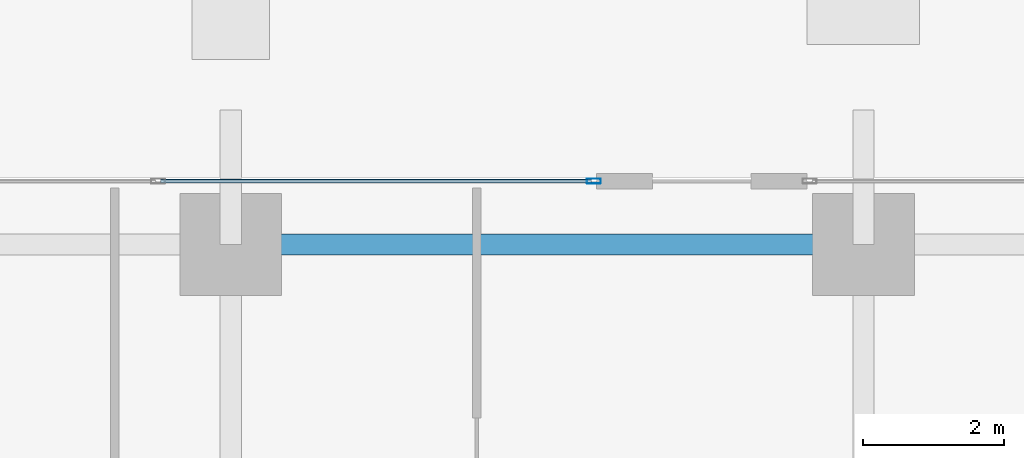
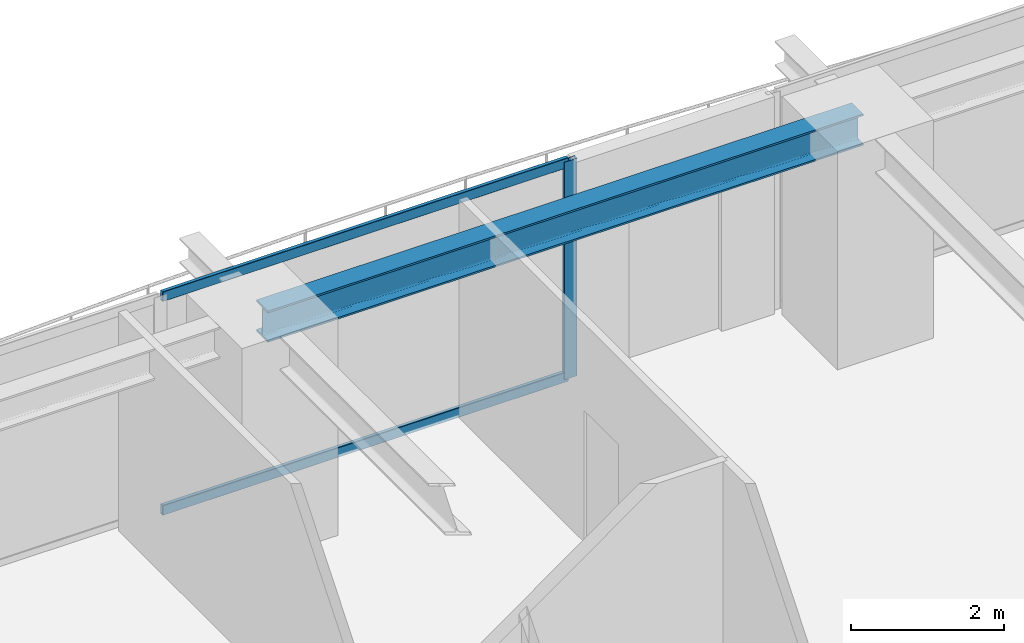
# One storey, part 18 of 35: 3 members, 1 beam, 1 element without a shape of its own.
"""IFC4 building model written with IfcOpenShell, lengths in metres."""

import ifcopenshell
import ifcopenshell.guid

model = None  # the IFC model being written
_history = None  # IfcOwnerHistory: only IFC2X3 demands one
_inside = {}  # id of a spatial element -> (the spatial element, [elements in it])
_under = {}  # id of a project, library or spatial element -> (it, [spatial elements below it])
_declared = {}  # id of a project -> (the project, [libraries it declares])
_typed = {}  # id of a type object -> (the type object, [elements of that type])
_made_of = {}  # id of a material, layer set ... -> (it, [elements and type objects made of it])


def new_model(schema):
    """Start an empty IFC model of exactly this schema.

    Asked for "IFC4X3", IfcOpenShell would pick the latest addendum, in which some entities
    have other attributes; the version numbers below select the first issue.
    IFC2X3 requires an IfcOwnerHistory on every rooted entity: one is made here for all.
    """
    global model, _history
    if schema == "IFC4X3":
        model = ifcopenshell.file(schema_version=(4, 3, 0, 0))
    else:
        model = ifcopenshell.file(schema=schema)
    _inside.clear()
    _under.clear()
    _declared.clear()
    _typed.clear()
    _made_of.clear()
    _history = None
    if model.schema == "IFC2X3":
        org = make("IfcOrganization", Name="unknown")
        user = make(
            "IfcPersonAndOrganization",
            ThePerson=make("IfcPerson", FamilyName="unknown"),
            TheOrganization=org,
        )
        app = make(
            "IfcApplication",
            ApplicationDeveloper=org,
            Version="unknown",
            ApplicationFullName="unknown",
            ApplicationIdentifier="unknown",
        )
        _history = make(
            "IfcOwnerHistory",
            OwningUser=user,
            OwningApplication=app,
            ChangeAction="ADDED",
            CreationDate=0,
        )
    return model


def make(cls, **values):
    """One entity of the class cls with the attributes given. An attribute that is None is left unset."""
    return model.create_entity(
        cls, **{name: value for name, value in values.items() if value is not None}
    )


def rooted(cls, **values):
    """An entity with a GlobalId (a new one), such as an element, a storey or a relation."""
    return make(cls, GlobalId=ifcopenshell.guid.new(), OwnerHistory=_history, **values)


def si_unit(unit_type, name, prefix=None):
    """IfcSIUnit, for example si_unit("LENGTHUNIT", "METRE", prefix="MILLI")."""
    return make("IfcSIUnit", UnitType=unit_type, Prefix=prefix, Name=name)


def assignment(units):
    """IfcUnitAssignment: the units of a project."""
    return None if units is None else make("IfcUnitAssignment", Units=units)


def point(xyz):
    """IfcCartesianPoint."""
    return None if xyz is None else make("IfcCartesianPoint", Coordinates=xyz)


def direction(xyz):
    """IfcDirection."""
    return None if xyz is None else make("IfcDirection", DirectionRatios=xyz)


def frame(location, z_axis=None, x_axis=None):
    """IfcAxis2Placement3D, a coordinate frame: its origin and axes. An axis left out is left unset."""
    return make(
        "IfcAxis2Placement3D",
        Location=point(location),
        Axis=direction(z_axis),
        RefDirection=direction(x_axis),
    )


def frame_2d(location, x_axis=None):
    """IfcAxis2Placement2D, a coordinate frame in the plane: its origin and x axis."""
    return make(
        "IfcAxis2Placement2D", Location=point(location), RefDirection=direction(x_axis)
    )


def origin():
    """The frame at (0, 0, 0) with its axes left unset."""
    return frame((0.0, 0.0, 0.0))


def origin_2d():
    """The frame at (0, 0) in the plane with its x axis left unset."""
    return frame_2d((0.0, 0.0))


def place(relative_to, where):
    """IfcLocalPlacement: puts the frame where relative to a parent placement (None: the world)."""
    return make(
        "IfcLocalPlacement", PlacementRelTo=relative_to, RelativePlacement=where
    )


def context(
    kind, dimensions, precision=None, world=None, true_north=None, identifier=None
):
    """IfcGeometricRepresentationContext, for example the 3D "Model" context."""
    return make(
        "IfcGeometricRepresentationContext",
        ContextIdentifier=identifier,
        ContextType=kind,
        CoordinateSpaceDimension=dimensions,
        Precision=precision,
        WorldCoordinateSystem=world,
        TrueNorth=true_north,
    )


def subcontext(parent, identifier, kind, view, scale=None):
    """IfcGeometricRepresentationSubContext, for example "Body" below "Model"."""
    return make(
        "IfcGeometricRepresentationSubContext",
        ContextIdentifier=identifier,
        ContextType=kind,
        ParentContext=parent,
        TargetScale=scale,
        TargetView=view,
    )


def project(units=None, contexts=None):
    """IfcProject with its units and contexts."""
    return rooted(
        "IfcProject",
        Name="project",
        RepresentationContexts=contexts,
        UnitsInContext=assignment(units),
    )


def spatial(cls, under=None, at=None, **own):
    """A site, building, storey or space (cls), placed at a placement, below another one or the project."""
    s = rooted(cls, ObjectPlacement=at, **own)
    if under is not None:
        _under.setdefault(under.id(), (under, []))[1].append(s)
    return s


def profile(cls, at=None, kind="AREA", **sizes):
    """A parametric profile (cls). Its sizes go by their IFC names, for example OverallWidth=200.0."""
    return make(cls, ProfileType=kind, Position=at, **sizes)


def hollow_rectangle(**sizes):
    """IfcRectangleHollowProfileDef."""
    return profile("IfcRectangleHollowProfileDef", **sizes)


def i_section(**sizes):
    """IfcIShapeProfileDef."""
    return profile("IfcIShapeProfileDef", **sizes)


def extrude(swept, where, along, depth):
    """IfcExtrudedAreaSolid: the profile swept, set in the frame where, extruded along a direction by depth."""
    return make(
        "IfcExtrudedAreaSolid",
        SweptArea=swept,
        Position=where,
        ExtrudedDirection=direction(along),
        Depth=depth,
    )


def shape(context_of_items, identifier, shape_type, items):
    """IfcShapeRepresentation: the items that make up one representation, for example the "Body"."""
    return make(
        "IfcShapeRepresentation",
        ContextOfItems=context_of_items,
        RepresentationIdentifier=identifier,
        RepresentationType=shape_type,
        Items=items,
    )


def source(mapping_origin, context_of_items, identifier, shape_type, items):
    """IfcRepresentationMap: a shape defined once, which mapped items show again and again."""
    return make(
        "IfcRepresentationMap",
        MappingOrigin=mapping_origin,
        MappedRepresentation=shape(context_of_items, identifier, shape_type, items),
    )


def transform(
    local_origin,
    x_axis=None,
    y_axis=None,
    z_axis=None,
    scale=None,
    scale2=None,
    scale3=None,
    uniform=True,
):
    """IfcCartesianTransformationOperator3D, or its non-uniform kind. x_axis, y_axis, z_axis: its Axis1, 2, 3."""
    if uniform:
        return make(
            "IfcCartesianTransformationOperator3D",
            Axis1=direction(x_axis),
            Axis2=direction(y_axis),
            LocalOrigin=point(local_origin),
            Scale=scale,
            Axis3=direction(z_axis),
        )
    return make(
        "IfcCartesianTransformationOperator3DnonUniform",
        Axis1=direction(x_axis),
        Axis2=direction(y_axis),
        LocalOrigin=point(local_origin),
        Scale=scale,
        Axis3=direction(z_axis),
        Scale2=scale2,
        Scale3=scale3,
    )


def mapped(mapping_source, mapping_target):
    """IfcMappedItem: shows the shape of a source again, moved by a transform."""
    return make(
        "IfcMappedItem", MappingSource=mapping_source, MappingTarget=mapping_target
    )


def material(Name=None, Category=None):
    """IfcMaterial."""
    return make("IfcMaterial", Name=Name, Category=Category)


def layer(
    of_material, thickness, ventilated=None, Name=None, Category=None, Priority=None
):
    """IfcMaterialLayer: one layer of a wall or slab, of a material (None: an air gap)."""
    return make(
        "IfcMaterialLayer",
        Material=of_material,
        LayerThickness=thickness,
        IsVentilated=ventilated,
        Name=Name,
        Category=Category,
        Priority=Priority,
    )


def layer_set(layers, Name=None):
    """IfcMaterialLayerSet."""
    return make("IfcMaterialLayerSet", MaterialLayers=layers, LayerSetName=Name)


def material_profile(
    of_material, cross_section, Name=None, Category=None, Priority=None
):
    """IfcMaterialProfile: a cross section and its material."""
    return make(
        "IfcMaterialProfile",
        Name=Name,
        Material=of_material,
        Profile=cross_section,
        Priority=Priority,
        Category=Category,
    )


def profile_set(profiles, Name=None, composite=None):
    """IfcMaterialProfileSet."""
    return make(
        "IfcMaterialProfileSet",
        Name=Name,
        MaterialProfiles=profiles,
        CompositeProfile=composite,
    )


def made_of(thing, what):
    """Note that an element or type object is made of a material, layer set ...; save() writes the relation."""
    if what is not None:
        _made_of.setdefault(what.id(), (what, []))[1].append(thing)
    return thing


def type_object(cls, material=None, **own):
    """A type object (cls), such as IfcWallType, which elements share."""
    return made_of(rooted(cls, **own), material)


def element(
    cls,
    number,
    at=None,
    inside=None,
    cuts=None,
    type_object=None,
    material=None,
    context=None,
    identifier="Body",
    shape_type=None,
    held_by="IfcProductDefinitionShape",
    body=None,
    shapes=None,
    **own,
):
    """One element of the class cls, such as IfcWall. Its Tag is "e" and its number.

    at: its placement. inside: the storey or other place that contains it. cuts: it is an
    opening in that element (IfcRelVoidsElement). A single representation is given by context,
    identifier, shape_type and body (its items); several are given by shapes. held_by: the class
    of the entity that holds the representations. save() writes the other relations.
    """
    e = rooted(cls, Tag="e%d" % number, ObjectPlacement=at, **own)
    if body is not None:
        shapes = [shape(context, identifier, shape_type, body)]
    if shapes is not None:
        e.Representation = make(held_by, Representations=shapes)
    if inside is not None:
        _inside.setdefault(inside.id(), (inside, []))[1].append(e)
    if cuts is not None:
        rooted(
            "IfcRelVoidsElement", RelatingBuildingElement=cuts, RelatedOpeningElement=e
        )
    if type_object is not None:
        _typed.setdefault(type_object.id(), (type_object, []))[1].append(e)
    return made_of(e, material)


def aggregate(whole, parts):
    """IfcRelAggregates: a whole, such as a stair, and the parts it consists of."""
    return rooted("IfcRelAggregates", RelatingObject=whole, RelatedObjects=parts)


def save(model, path):
    """Write the relations noted so far, then the file.

    IfcRelAggregates (storeys below a building ...), IfcRelContainedInSpatialStructure (elements
    in a storey), IfcRelDefinesByType, IfcRelAssociatesMaterial and IfcRelDeclares: one each for
    every whole, place, type object, material and project.
    """
    for whole, parts in _under.values():
        aggregate(whole, parts)
    for where, things in _inside.values():
        rooted(
            "IfcRelContainedInSpatialStructure",
            RelatedElements=things,
            RelatingStructure=where,
        )
    for kind, things in _typed.values():
        rooted("IfcRelDefinesByType", RelatedObjects=things, RelatingType=kind)
    for what, things in _made_of.values():
        rooted("IfcRelAssociatesMaterial", RelatedObjects=things, RelatingMaterial=what)
    for by, libraries in _declared.values():
        rooted("IfcRelDeclares", RelatingContext=by, RelatedDefinitions=libraries)
    model.write(path)


model = new_model("IFC4")

# Units and contexts
model_context = context("Model", 3, precision=1e-05, world=origin(), true_north=direction((0.0, 1.0)))
body_context = subcontext(model_context, "Body", "Model", "MODEL_VIEW")
ifc_project = project(units=[si_unit("LENGTHUNIT", "METRE"), si_unit("AREAUNIT", "SQUARE_METRE"), si_unit("VOLUMEUNIT", "CUBIC_METRE"), si_unit("PLANEANGLEUNIT", "RADIAN"), si_unit("MASSUNIT", "GRAM", prefix="KILO")], contexts=[model_context])

# Site, building, storey
site_placement = place(None, origin())
site = spatial("IfcSite", under=ifc_project, at=site_placement, CompositionType="ELEMENT")
building_placement = place(site_placement, origin())
building = spatial("IfcBuilding", under=site, at=building_placement, Name="Serunith Strait Residences", CompositionType="ELEMENT")
storey_placement = place(building_placement, frame((0.0, 0.0, 56.699951171875)))
storey = spatial("IfcBuildingStorey", under=building, at=storey_placement, Name="L13", CompositionType="ELEMENT", Elevation=56.699951171875)

# Beam
ifc_material_1 = material(Name="Steel S355J2", Category="steel")
ifc_material_profile_1 = material_profile(ifc_material_1, i_section(OverallWidth=0.300048828125, OverallDepth=0.5, WebThickness=0.014404296875, FlangeThickness=0.028076171875, FilletRadius=0.027099609375, at=origin_2d()), Name="HEB 500")
ifc_profile_set_1 = profile_set([ifc_material_profile_1], Name="Steel S355J2")
beam_type = type_object("IfcBeamType", Name="BM-HEB500", PredefinedType="BEAM", material=ifc_profile_set_1)
shared_shape_1 = source(origin(), body_context, "Body", "SweptSolid", [
    extrude(i_section(OverallWidth=0.300048828125, OverallDepth=0.5, WebThickness=0.014404296875, FlangeThickness=0.028076171875, FilletRadius=0.027099609375, at=origin_2d()), origin(), (0.0, 0.0, 1.0), 9.0),
])
beam_placement = place(storey_placement, frame((36.89990234375, 49.300048828125, 3.237060546875), z_axis=(-1.0, 0.0, 0.0), x_axis=(0.0, -1.0, 0.0)))
element("IfcBeam", 1, at=beam_placement, inside=storey, type_object=beam_type, Name="L13 Perimeter Ring Beam 10", PredefinedType="BEAM", context=body_context, shape_type="MappedRepresentation", body=[
    mapped(shared_shape_1, transform((0.0, 0.0, 0.0), scale=1.0)),
])

# Curtain wall, members
ifc_material_2 = material(Name="Pale-Champagne Anodised Aluminium", Category="aluminium")
ifc_layer = layer(ifc_material_2, 0.199951171875, Name="Pale-Champagne Anodised Aluminium")
ifc_layer_set = layer_set([ifc_layer], Name="Pale-Champagne Anodised Aluminium")
curtain_wall_type = type_object("IfcCurtainWallType", Name="CW-SYS1", PredefinedType="NOTDEFINED", material=ifc_layer_set)
curtain_wall_placement = place(storey_placement, origin())
curtain_wall = element("IfcCurtainWall", 2, at=curtain_wall_placement, inside=storey, type_object=curtain_wall_type, Name="L13 N Unitised Fritted Curtain Wall", PredefinedType="NOTDEFINED")
ifc_material_profile_2 = material_profile(ifc_material_2, hollow_rectangle(XDim=0.070068359375, YDim=0.199951171875, WallThickness=0.00390625, InnerFilletRadius=0.006103515625, OuterFilletRadius=0.010009765625, at=origin_2d()), Name="ALU 200x70x4")
ifc_profile_set_2 = profile_set([ifc_material_profile_2], Name="Pale-Champagne Anodised Aluminium")
member_type_1 = type_object("IfcMemberType", Name="CW-SYS1-MULL", PredefinedType="MULLION", material=ifc_profile_set_2)
shared_shape_2 = source(origin(), body_context, "Body", "SweptSolid", [
    extrude(hollow_rectangle(XDim=0.070068359375, YDim=0.199951171875, WallThickness=0.00390625, InnerFilletRadius=0.006103515625, OuterFilletRadius=0.010009765625, at=origin_2d()), origin(), (0.0, 0.0, 1.0), 3.47509765625),
])
member_1_placement = place(storey_placement, frame((33.06494140625, 50.199951171875, 0.0), z_axis=(0.0, 0.0, 1.0), x_axis=(0.0, -1.0, 0.0)))
member_1 = element("IfcMember", 3, at=member_1_placement, type_object=member_type_1, Name="CW-1 mullion 1", PredefinedType="MULLION", context=body_context, shape_type="MappedRepresentation", body=[
    mapped(shared_shape_2, transform((0.0, 0.0, 0.0), scale=1.0)),
])
ifc_material_profile_3 = material_profile(ifc_material_2, hollow_rectangle(XDim=0.06005859375, YDim=0.159912109375, WallThickness=0.00341796875, InnerFilletRadius=0.00537109375, OuterFilletRadius=0.0087890625, at=origin_2d()), Name="ALU 160x60x3.5")
ifc_profile_set_3 = profile_set([ifc_material_profile_3], Name="Pale-Champagne Anodised Aluminium")
member_type_2 = type_object("IfcMemberType", Name="CW-SYS1-TRAN", PredefinedType="USERDEFINED", material=ifc_profile_set_3)
shared_shape_3 = source(origin(), body_context, "Body", "SweptSolid", [
    extrude(hollow_rectangle(XDim=0.06005859375, YDim=0.159912109375, WallThickness=0.00341796875, InnerFilletRadius=0.00537109375, OuterFilletRadius=0.0087890625, at=origin_2d()), origin(), (0.0, 0.0, 1.0), 6.12841796875),
])
member_2_placement = place(storey_placement, frame((33.030029296875, 50.199951171875, 0.030029296875), z_axis=(-1.0, 0.0, 0.0), x_axis=(0.0, -1.0, 0.0)))
member_2 = element("IfcMember", 4, at=member_2_placement, type_object=member_type_2, Name="CW-1 transom 1.1", ObjectType="TRANSOM", PredefinedType="USERDEFINED", context=body_context, shape_type="MappedRepresentation", body=[
    mapped(shared_shape_3, transform((0.0, 0.0, 0.0), scale=1.0)),
])
member_3_placement = place(storey_placement, frame((33.030029296875, 50.199951171875, 3.445068359375), z_axis=(-1.0, 0.0, 0.0), x_axis=(0.0, -1.0, 0.0)))
member_3 = element("IfcMember", 5, at=member_3_placement, type_object=member_type_2, Name="CW-1 transom 1.2", ObjectType="TRANSOM", PredefinedType="USERDEFINED", context=body_context, shape_type="MappedRepresentation", body=[
    mapped(shared_shape_3, transform((0.0, 0.0, 0.0), scale=1.0)),
])
aggregate(curtain_wall, [member_1, member_2, member_3])

save(model, "model.ifc")
